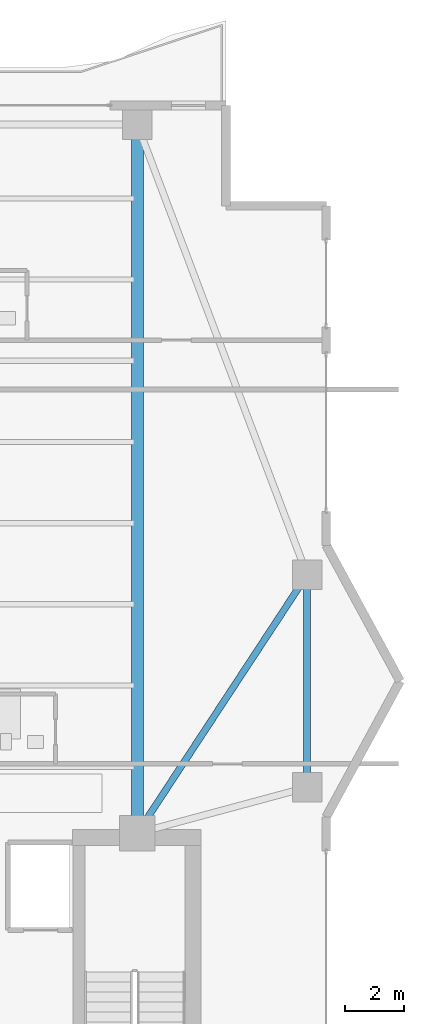
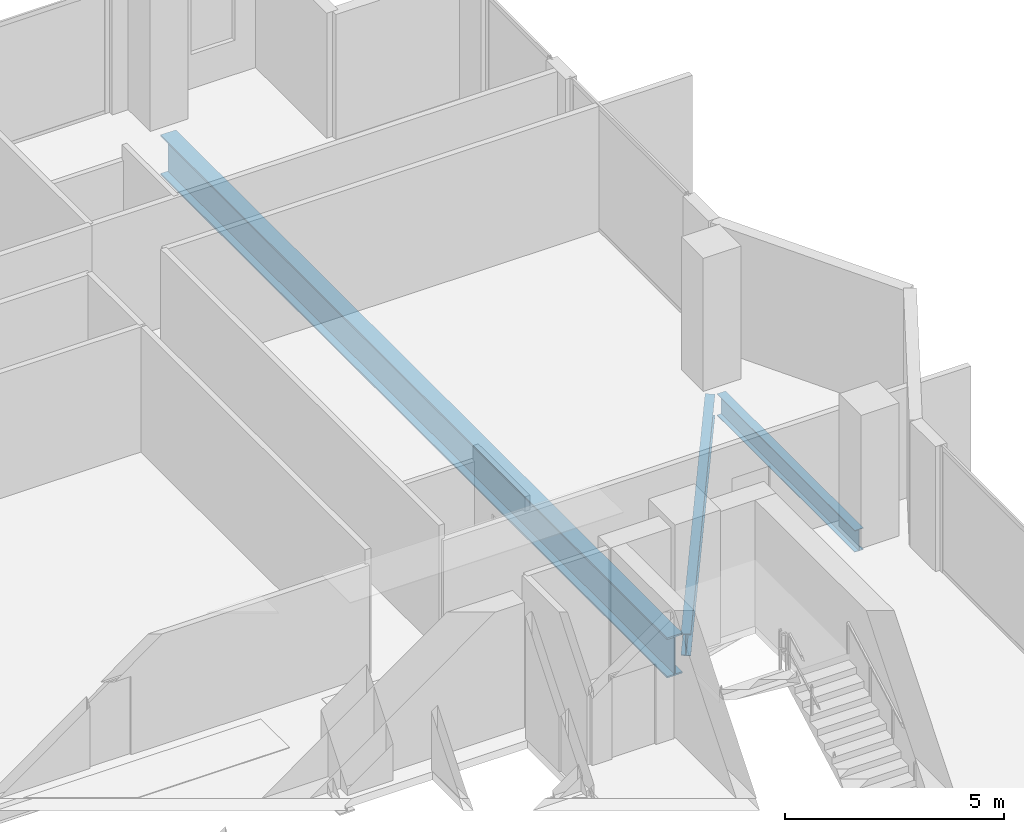
# One storey, part 10 of 25: 3 beams.
"""IFC4 building model written with IfcOpenShell, lengths in metres."""

from ifc_helpers import new_model, si_unit, direction, frame, origin, origin_2d, place, context, subcontext, project, spatial, i_section, extrude, material, material_profile, profile_set, type_object, element, save


model = new_model("IFC4")

# Units and contexts
model_context = context("Model", 3, precision=1e-05, world=origin(), true_north=direction((0.0, 1.0)))
body_context = subcontext(model_context, "Body", "Model", "MODEL_VIEW")
ifc_project = project(units=[si_unit("LENGTHUNIT", "METRE"), si_unit("AREAUNIT", "SQUARE_METRE"), si_unit("VOLUMEUNIT", "CUBIC_METRE"), si_unit("PLANEANGLEUNIT", "RADIAN"), si_unit("MASSUNIT", "GRAM", prefix="KILO")], contexts=[model_context])

# Site, building, storey
site_placement = place(None, origin())
site = spatial("IfcSite", under=ifc_project, at=site_placement, CompositionType="ELEMENT")
building_placement = place(site_placement, origin())
building = spatial("IfcBuilding", under=site, at=building_placement, Name="Zuhayl Quay Hotel", CompositionType="ELEMENT")
storey_placement = place(building_placement, frame((0.0, 0.0, 243.35009765625)))
storey = spatial("IfcBuildingStorey", under=building, at=storey_placement, Name="L61", CompositionType="ELEMENT", Elevation=243.35009765625)

# Beams
ifc_material_1 = material(Name="Steel ASTM A992 Grade 50", Category="steel")
ifc_material_profile_1 = material_profile(ifc_material_1, i_section(OverallWidth=0.22802734375, OverallDepth=0.60693359375, WebThickness=0.01123046875, FlangeThickness=0.017333984375, at=origin_2d()), Name="W24X76")
ifc_profile_set_1 = profile_set([ifc_material_profile_1], Name="Steel ASTM A992 Grade 50")
beam_type_1 = type_object("IfcBeamType", Name="BM_B3_W24X76", PredefinedType="BEAM", material=ifc_profile_set_1)
beam_1_placement = place(storey_placement, frame((19.550048828125, 16.360107421875, -0.523681640625), z_axis=(0.0, 1.0, 0.0), x_axis=(-1.0, 0.0, 0.0)))
element("IfcBeam", 1, at=beam_1_placement, inside=storey, type_object=beam_type_1, Name="L61 Floor Beam RG_L61_05", PredefinedType="BEAM", context=body_context, shape_type="SweptSolid", body=[
    extrude(i_section(OverallWidth=0.22802734375, OverallDepth=0.60693359375, WebThickness=0.01123046875, FlangeThickness=0.017333984375, at=origin_2d()), origin(), (0.0, 0.0, 1.0), 6.27978515625),
])
beam_2_placement = place(storey_placement, frame((14.047119140625, 14.72607421875, -0.523681640625), z_axis=(0.549177886661, 0.835705479701, 0.0), x_axis=(-0.835705479701, 0.549177886661, 0.0)))
element("IfcBeam", 2, at=beam_2_placement, inside=storey, type_object=beam_type_1, Name="L61 Floor Beam FG_E_L61_2", PredefinedType="BEAM", context=body_context, shape_type="SweptSolid", body=[
    extrude(i_section(OverallWidth=0.22802734375, OverallDepth=0.60693359375, WebThickness=0.01123046875, FlangeThickness=0.017333984375, at=origin_2d()), origin(), (0.0, 0.0, 1.0), 9.560302734375),
])
ifc_material_2 = material(Name="Steel ASTM A913 Grade 65", Category="steel")
ifc_material_profile_2 = material_profile(ifc_material_2, i_section(OverallWidth=0.404052734375, OverallDepth=1.117919921875, WebThickness=0.026123046875, FlangeThickness=0.044921875, at=origin_2d()), Name="W44X335")
ifc_profile_set_2 = profile_set([ifc_material_profile_2], Name="Steel ASTM A913 Grade 65")
beam_type_2 = type_object("IfcBeamType", Name="BM_TG1_W44X335", PredefinedType="BEAM", material=ifc_profile_set_2)
beam_3_placement = place(storey_placement, frame((13.800048828125, 14.800048828125, -0.779052734375), z_axis=(0.0, 1.0, 0.0), x_axis=(-1.0, 0.0, 0.0)))
element("IfcBeam", 3, at=beam_3_placement, inside=storey, type_object=beam_type_2, Name="L61 Floor Beam FG_N_L61_4", PredefinedType="BEAM", context=body_context, shape_type="SweptSolid", body=[
    extrude(i_section(OverallWidth=0.404052734375, OverallDepth=1.117919921875, WebThickness=0.026123046875, FlangeThickness=0.044921875, at=origin_2d()), origin(), (0.0, 0.0, 1.0), 23.08984375),
])

save(model, "model.ifc")
